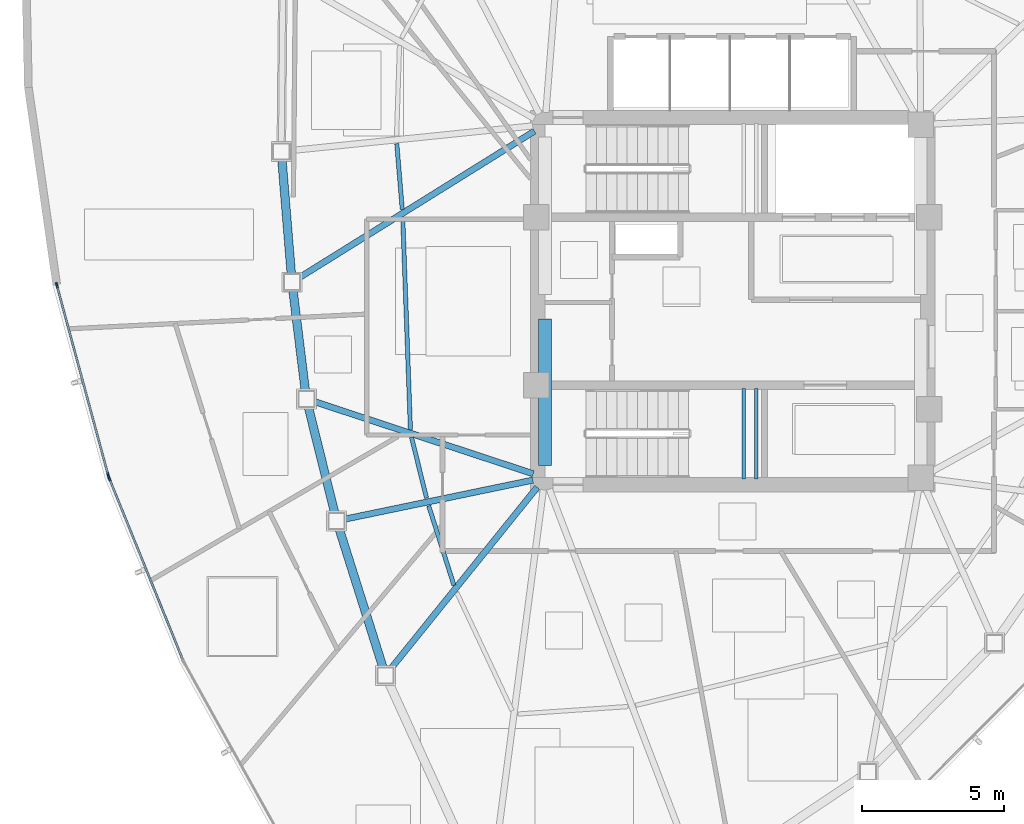
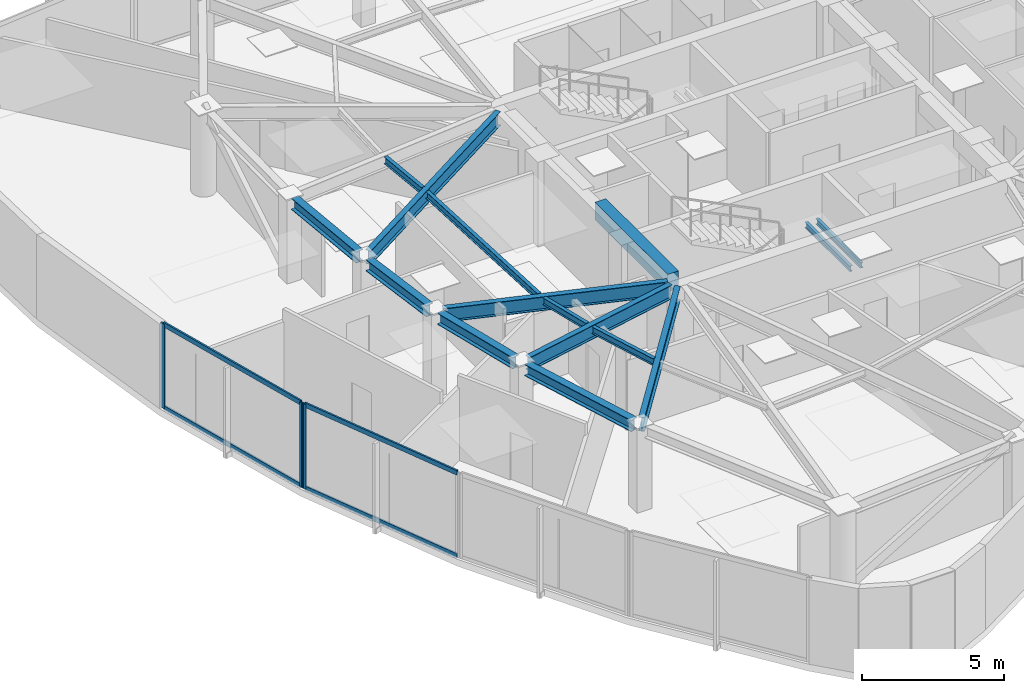
# One storey, part 3 of 13: 15 beams, 7 members, 2 elements without a shape of their own.
"""IFC4 building model written with IfcOpenShell, lengths in metres."""

import ifcopenshell
import ifcopenshell.guid

model = None  # the IFC model being written
_history = None  # IfcOwnerHistory: only IFC2X3 demands one
_inside = {}  # id of a spatial element -> (the spatial element, [elements in it])
_under = {}  # id of a project, library or spatial element -> (it, [spatial elements below it])
_declared = {}  # id of a project -> (the project, [libraries it declares])
_typed = {}  # id of a type object -> (the type object, [elements of that type])
_made_of = {}  # id of a material, layer set ... -> (it, [elements and type objects made of it])


def new_model(schema):
    """Start an empty IFC model of exactly this schema.

    Asked for "IFC4X3", IfcOpenShell would pick the latest addendum, in which some entities
    have other attributes; the version numbers below select the first issue.
    IFC2X3 requires an IfcOwnerHistory on every rooted entity: one is made here for all.
    """
    global model, _history
    if schema == "IFC4X3":
        model = ifcopenshell.file(schema_version=(4, 3, 0, 0))
    else:
        model = ifcopenshell.file(schema=schema)
    _inside.clear()
    _under.clear()
    _declared.clear()
    _typed.clear()
    _made_of.clear()
    _history = None
    if model.schema == "IFC2X3":
        org = make("IfcOrganization", Name="unknown")
        user = make(
            "IfcPersonAndOrganization",
            ThePerson=make("IfcPerson", FamilyName="unknown"),
            TheOrganization=org,
        )
        app = make(
            "IfcApplication",
            ApplicationDeveloper=org,
            Version="unknown",
            ApplicationFullName="unknown",
            ApplicationIdentifier="unknown",
        )
        _history = make(
            "IfcOwnerHistory",
            OwningUser=user,
            OwningApplication=app,
            ChangeAction="ADDED",
            CreationDate=0,
        )
    return model


def make(cls, **values):
    """One entity of the class cls with the attributes given. An attribute that is None is left unset."""
    return model.create_entity(
        cls, **{name: value for name, value in values.items() if value is not None}
    )


def rooted(cls, **values):
    """An entity with a GlobalId (a new one), such as an element, a storey or a relation."""
    return make(cls, GlobalId=ifcopenshell.guid.new(), OwnerHistory=_history, **values)


def si_unit(unit_type, name, prefix=None):
    """IfcSIUnit, for example si_unit("LENGTHUNIT", "METRE", prefix="MILLI")."""
    return make("IfcSIUnit", UnitType=unit_type, Prefix=prefix, Name=name)


def assignment(units):
    """IfcUnitAssignment: the units of a project."""
    return None if units is None else make("IfcUnitAssignment", Units=units)


def point(xyz):
    """IfcCartesianPoint."""
    return None if xyz is None else make("IfcCartesianPoint", Coordinates=xyz)


def direction(xyz):
    """IfcDirection."""
    return None if xyz is None else make("IfcDirection", DirectionRatios=xyz)


def frame(location, z_axis=None, x_axis=None):
    """IfcAxis2Placement3D, a coordinate frame: its origin and axes. An axis left out is left unset."""
    return make(
        "IfcAxis2Placement3D",
        Location=point(location),
        Axis=direction(z_axis),
        RefDirection=direction(x_axis),
    )


def frame_2d(location, x_axis=None):
    """IfcAxis2Placement2D, a coordinate frame in the plane: its origin and x axis."""
    return make(
        "IfcAxis2Placement2D", Location=point(location), RefDirection=direction(x_axis)
    )


def origin():
    """The frame at (0, 0, 0) with its axes left unset."""
    return frame((0.0, 0.0, 0.0))


def origin_2d():
    """The frame at (0, 0) in the plane with its x axis left unset."""
    return frame_2d((0.0, 0.0))


def place(relative_to, where):
    """IfcLocalPlacement: puts the frame where relative to a parent placement (None: the world)."""
    return make(
        "IfcLocalPlacement", PlacementRelTo=relative_to, RelativePlacement=where
    )


def context(
    kind, dimensions, precision=None, world=None, true_north=None, identifier=None
):
    """IfcGeometricRepresentationContext, for example the 3D "Model" context."""
    return make(
        "IfcGeometricRepresentationContext",
        ContextIdentifier=identifier,
        ContextType=kind,
        CoordinateSpaceDimension=dimensions,
        Precision=precision,
        WorldCoordinateSystem=world,
        TrueNorth=true_north,
    )


def subcontext(parent, identifier, kind, view, scale=None):
    """IfcGeometricRepresentationSubContext, for example "Body" below "Model"."""
    return make(
        "IfcGeometricRepresentationSubContext",
        ContextIdentifier=identifier,
        ContextType=kind,
        ParentContext=parent,
        TargetScale=scale,
        TargetView=view,
    )


def project(units=None, contexts=None):
    """IfcProject with its units and contexts."""
    return rooted(
        "IfcProject",
        Name="project",
        RepresentationContexts=contexts,
        UnitsInContext=assignment(units),
    )


def spatial(cls, under=None, at=None, **own):
    """A site, building, storey or space (cls), placed at a placement, below another one or the project."""
    s = rooted(cls, ObjectPlacement=at, **own)
    if under is not None:
        _under.setdefault(under.id(), (under, []))[1].append(s)
    return s


def profile(cls, at=None, kind="AREA", **sizes):
    """A parametric profile (cls). Its sizes go by their IFC names, for example OverallWidth=200.0."""
    return make(cls, ProfileType=kind, Position=at, **sizes)


def rectangle(**sizes):
    """IfcRectangleProfileDef."""
    return profile("IfcRectangleProfileDef", **sizes)


def hollow_rectangle(**sizes):
    """IfcRectangleHollowProfileDef."""
    return profile("IfcRectangleHollowProfileDef", **sizes)


def i_section(**sizes):
    """IfcIShapeProfileDef."""
    return profile("IfcIShapeProfileDef", **sizes)


def extrude(swept, where, along, depth):
    """IfcExtrudedAreaSolid: the profile swept, set in the frame where, extruded along a direction by depth."""
    return make(
        "IfcExtrudedAreaSolid",
        SweptArea=swept,
        Position=where,
        ExtrudedDirection=direction(along),
        Depth=depth,
    )


def shape(context_of_items, identifier, shape_type, items):
    """IfcShapeRepresentation: the items that make up one representation, for example the "Body"."""
    return make(
        "IfcShapeRepresentation",
        ContextOfItems=context_of_items,
        RepresentationIdentifier=identifier,
        RepresentationType=shape_type,
        Items=items,
    )


def source(mapping_origin, context_of_items, identifier, shape_type, items):
    """IfcRepresentationMap: a shape defined once, which mapped items show again and again."""
    return make(
        "IfcRepresentationMap",
        MappingOrigin=mapping_origin,
        MappedRepresentation=shape(context_of_items, identifier, shape_type, items),
    )


def transform(
    local_origin,
    x_axis=None,
    y_axis=None,
    z_axis=None,
    scale=None,
    scale2=None,
    scale3=None,
    uniform=True,
):
    """IfcCartesianTransformationOperator3D, or its non-uniform kind. x_axis, y_axis, z_axis: its Axis1, 2, 3."""
    if uniform:
        return make(
            "IfcCartesianTransformationOperator3D",
            Axis1=direction(x_axis),
            Axis2=direction(y_axis),
            LocalOrigin=point(local_origin),
            Scale=scale,
            Axis3=direction(z_axis),
        )
    return make(
        "IfcCartesianTransformationOperator3DnonUniform",
        Axis1=direction(x_axis),
        Axis2=direction(y_axis),
        LocalOrigin=point(local_origin),
        Scale=scale,
        Axis3=direction(z_axis),
        Scale2=scale2,
        Scale3=scale3,
    )


def mapped(mapping_source, mapping_target):
    """IfcMappedItem: shows the shape of a source again, moved by a transform."""
    return make(
        "IfcMappedItem", MappingSource=mapping_source, MappingTarget=mapping_target
    )


def material(Name=None, Category=None):
    """IfcMaterial."""
    return make("IfcMaterial", Name=Name, Category=Category)


def layer(
    of_material, thickness, ventilated=None, Name=None, Category=None, Priority=None
):
    """IfcMaterialLayer: one layer of a wall or slab, of a material (None: an air gap)."""
    return make(
        "IfcMaterialLayer",
        Material=of_material,
        LayerThickness=thickness,
        IsVentilated=ventilated,
        Name=Name,
        Category=Category,
        Priority=Priority,
    )


def layer_set(layers, Name=None):
    """IfcMaterialLayerSet."""
    return make("IfcMaterialLayerSet", MaterialLayers=layers, LayerSetName=Name)


def material_profile(
    of_material, cross_section, Name=None, Category=None, Priority=None
):
    """IfcMaterialProfile: a cross section and its material."""
    return make(
        "IfcMaterialProfile",
        Name=Name,
        Material=of_material,
        Profile=cross_section,
        Priority=Priority,
        Category=Category,
    )


def profile_set(profiles, Name=None, composite=None):
    """IfcMaterialProfileSet."""
    return make(
        "IfcMaterialProfileSet",
        Name=Name,
        MaterialProfiles=profiles,
        CompositeProfile=composite,
    )


def made_of(thing, what):
    """Note that an element or type object is made of a material, layer set ...; save() writes the relation."""
    if what is not None:
        _made_of.setdefault(what.id(), (what, []))[1].append(thing)
    return thing


def type_object(cls, material=None, **own):
    """A type object (cls), such as IfcWallType, which elements share."""
    return made_of(rooted(cls, **own), material)


def type_shapes(of_type, sources):
    """Give a type object the sources (RepresentationMaps) that its elements show as mapped items."""
    of_type.RepresentationMaps = sources


def element(
    cls,
    number,
    at=None,
    inside=None,
    cuts=None,
    type_object=None,
    material=None,
    context=None,
    identifier="Body",
    shape_type=None,
    held_by="IfcProductDefinitionShape",
    body=None,
    shapes=None,
    **own,
):
    """One element of the class cls, such as IfcWall. Its Tag is "e" and its number.

    at: its placement. inside: the storey or other place that contains it. cuts: it is an
    opening in that element (IfcRelVoidsElement). A single representation is given by context,
    identifier, shape_type and body (its items); several are given by shapes. held_by: the class
    of the entity that holds the representations. save() writes the other relations.
    """
    e = rooted(cls, Tag="e%d" % number, ObjectPlacement=at, **own)
    if body is not None:
        shapes = [shape(context, identifier, shape_type, body)]
    if shapes is not None:
        e.Representation = make(held_by, Representations=shapes)
    if inside is not None:
        _inside.setdefault(inside.id(), (inside, []))[1].append(e)
    if cuts is not None:
        rooted(
            "IfcRelVoidsElement", RelatingBuildingElement=cuts, RelatedOpeningElement=e
        )
    if type_object is not None:
        _typed.setdefault(type_object.id(), (type_object, []))[1].append(e)
    return made_of(e, material)


def aggregate(whole, parts):
    """IfcRelAggregates: a whole, such as a stair, and the parts it consists of."""
    return rooted("IfcRelAggregates", RelatingObject=whole, RelatedObjects=parts)


def save(model, path):
    """Write the relations noted so far, then the file.

    IfcRelAggregates (storeys below a building ...), IfcRelContainedInSpatialStructure (elements
    in a storey), IfcRelDefinesByType, IfcRelAssociatesMaterial and IfcRelDeclares: one each for
    every whole, place, type object, material and project.
    """
    for whole, parts in _under.values():
        aggregate(whole, parts)
    for where, things in _inside.values():
        rooted(
            "IfcRelContainedInSpatialStructure",
            RelatedElements=things,
            RelatingStructure=where,
        )
    for kind, things in _typed.values():
        rooted("IfcRelDefinesByType", RelatedObjects=things, RelatingType=kind)
    for what, things in _made_of.values():
        rooted("IfcRelAssociatesMaterial", RelatedObjects=things, RelatingMaterial=what)
    for by, libraries in _declared.values():
        rooted("IfcRelDeclares", RelatingContext=by, RelatedDefinitions=libraries)
    model.write(path)


model = new_model("IFC4")

# Units and contexts
model_context = context("Model", 3, precision=1e-05, world=origin(), true_north=direction((0.0, 1.0)))
body_context = subcontext(model_context, "Body", "Model", "MODEL_VIEW")
ifc_project = project(units=[si_unit("LENGTHUNIT", "METRE"), si_unit("AREAUNIT", "SQUARE_METRE"), si_unit("VOLUMEUNIT", "CUBIC_METRE"), si_unit("PLANEANGLEUNIT", "RADIAN"), si_unit("MASSUNIT", "GRAM", prefix="KILO")], contexts=[model_context])

# Site, building, storey
site_placement = place(None, origin())
site = spatial("IfcSite", under=ifc_project, at=site_placement, CompositionType="ELEMENT")
building_placement = place(site_placement, origin())
building = spatial("IfcBuilding", under=site, at=building_placement, Name="Tavelor Broadcast Tower", CompositionType="ELEMENT")
storey_placement = place(building_placement, frame((0.0, 0.0, 245.85009765625)))
storey = spatial("IfcBuildingStorey", under=building, at=storey_placement, Name="L58", CompositionType="ELEMENT", Elevation=245.85009765625)

# Beams
ifc_material_1 = material(Name="Concrete C40/50", Category="concrete")
ifc_material_profile_1 = material_profile(ifc_material_1, rectangle(XDim=0.449951171875, YDim=0.75, at=origin_2d()), Name="RC 450x750")
ifc_profile_set_1 = profile_set([ifc_material_profile_1], Name="Concrete C40/50")
beam_type_1 = type_object("IfcBeamType", Name="Basement Core Trim Beam 450x750", PredefinedType="BEAM", material=ifc_profile_set_1)
beam_1_placement = place(storey_placement, frame((43.39990234375, 39.23193359375, 3.27490234375), z_axis=(0.0, 1.0, 0.0), x_axis=(-1.0, 0.0, 0.0)))
element("IfcBeam", 1, at=beam_1_placement, inside=storey, type_object=beam_type_1, Name="L58 Core West-S Tie Girder", PredefinedType="BEAM", context=body_context, shape_type="SweptSolid", body=[
    extrude(rectangle(XDim=0.449951171875, YDim=0.75, at=origin_2d()), origin(), (0.0, 0.0, 1.0), 5.135986328125),
])
ifc_material_2 = material(Name="Steel S355", Category="steel")
ifc_material_profile_2 = material_profile(ifc_material_2, i_section(OverallWidth=0.14990234375, OverallDepth=0.300048828125, WebThickness=0.007080078125, FlangeThickness=0.0107421875, at=origin_2d()), Name="IPE 300")
ifc_profile_set_2 = profile_set([ifc_material_profile_2], Name="Steel S355")
beam_type_2 = type_object("IfcBeamType", Name="Composite Floor Joist T5 IPE 300", PredefinedType="JOIST", material=ifc_profile_set_2)
beam_2_placement = place(storey_placement, frame((38.19580078125, 50.529541015625, 3.5), z_axis=(0.082940684636, -0.996554485631, 0.0), x_axis=(0.996554485631, 0.082940684636, 0.0)))
element("IfcBeam", 2, at=beam_2_placement, inside=storey, type_object=beam_type_2, Name="L58 Secondary Composite Floor Joist 02", PredefinedType="JOIST", context=body_context, shape_type="SweptSolid", body=[
    extrude(i_section(OverallWidth=0.14990234375, OverallDepth=0.300048828125, WebThickness=0.007080078125, FlangeThickness=0.0107421875, at=origin_2d()), origin(), (0.0, 0.0, 1.0), 2.313720703125),
])
beam_3_placement = place(storey_placement, frame((38.404296875, 47.945556640625, 3.5), z_axis=(0.036223057878, -0.999343729694, 0.0), x_axis=(0.999343729694, 0.036223057878, 0.0)))
element("IfcBeam", 3, at=beam_3_placement, inside=storey, type_object=beam_type_2, Name="L58 Secondary Composite Floor Joist 03", PredefinedType="JOIST", context=body_context, shape_type="SweptSolid", body=[
    extrude(i_section(OverallWidth=0.14990234375, OverallDepth=0.300048828125, WebThickness=0.007080078125, FlangeThickness=0.0107421875, at=origin_2d()), origin(), (0.0, 0.0, 1.0), 7.454345703125),
])
beam_4_placement = place(storey_placement, frame((38.712646484375, 40.221435546875, 3.5), z_axis=(0.239592093356, -0.970873642037, 0.0), x_axis=(0.970873642037, 0.239592093356, 0.0)))
element("IfcBeam", 4, at=beam_4_placement, inside=storey, type_object=beam_type_2, Name="L58 Secondary Composite Floor Joist 04", PredefinedType="JOIST", context=body_context, shape_type="SweptSolid", body=[
    extrude(i_section(OverallWidth=0.14990234375, OverallDepth=0.300048828125, WebThickness=0.007080078125, FlangeThickness=0.0107421875, at=origin_2d()), origin(), (0.0, 0.0, 1.0), 2.2060546875),
])
beam_5_placement = place(storey_placement, frame((39.316650390625, 37.811279296875, 3.5), z_axis=(0.302412009178, -0.953177306017, 0.0), x_axis=(0.953177306017, 0.302412009178, 0.0)))
element("IfcBeam", 5, at=beam_5_placement, inside=storey, type_object=beam_type_2, Name="L58 Secondary Composite Floor Joist 05", PredefinedType="JOIST", context=body_context, shape_type="SweptSolid", body=[
    extrude(i_section(OverallWidth=0.14990234375, OverallDepth=0.300048828125, WebThickness=0.007080078125, FlangeThickness=0.0107421875, at=origin_2d()), origin(), (0.0, 0.0, 1.0), 2.92822265625),
])
ifc_material_profile_3 = material_profile(ifc_material_2, i_section(OverallWidth=0.300048828125, OverallDepth=0.489990234375, WebThickness=0.011962890625, FlangeThickness=0.02294921875, at=origin_2d()), Name="HEA 500")
ifc_profile_set_3 = profile_set([ifc_material_profile_3], Name="Steel S355")
beam_type_3 = type_object("IfcBeamType", Name="Perimeter Spandrel Beam T5 HEA 500", PredefinedType="SPANDREL", material=ifc_profile_set_3)
beam_6_placement = place(storey_placement, frame((34.16064453125, 49.968994140625, 3.40478515625), z_axis=(0.081762275835, -0.996651860105, 0.0), x_axis=(0.996651860105, 0.081762275835, 0.0)))
element("IfcBeam", 6, at=beam_6_placement, inside=storey, type_object=beam_type_3, Name="L58 Framed-Tube Ring Spandrel 02", PredefinedType="SPANDREL", context=body_context, shape_type="SweptSolid", body=[
    extrude(i_section(OverallWidth=0.300048828125, OverallDepth=0.489990234375, WebThickness=0.011962890625, FlangeThickness=0.02294921875, at=origin_2d()), origin(), (0.0, 0.0, 1.0), 4.031005859375),
])
beam_7_placement = place(storey_placement, frame((34.548828125, 45.378662109375, 3.40478515625), z_axis=(0.122285270418, -0.99249499376, 0.0), x_axis=(0.99249499376, 0.122285270418, 0.0)))
element("IfcBeam", 7, at=beam_7_placement, inside=storey, type_object=beam_type_3, Name="L58 Framed-Tube Ring Spandrel 03", PredefinedType="SPANDREL", context=body_context, shape_type="SweptSolid", body=[
    extrude(i_section(OverallWidth=0.300048828125, OverallDepth=0.489990234375, WebThickness=0.011962890625, FlangeThickness=0.02294921875, at=origin_2d()), origin(), (0.0, 0.0, 1.0), 3.5556640625),
])
beam_8_placement = place(storey_placement, frame((35.08837890625, 41.284423828125, 3.40478515625), z_axis=(0.24127750007, -0.970456164883, 0.0), x_axis=(0.970456164883, 0.24127750007, 0.0)))
element("IfcBeam", 8, at=beam_8_placement, inside=storey, type_object=beam_type_3, Name="L58 Framed-Tube Ring Spandrel 04", PredefinedType="SPANDREL", context=body_context, shape_type="SweptSolid", body=[
    extrude(i_section(OverallWidth=0.300048828125, OverallDepth=0.489990234375, WebThickness=0.011962890625, FlangeThickness=0.02294921875, at=origin_2d()), origin(), (0.0, 0.0, 1.0), 3.8359375),
])
beam_9_placement = place(storey_placement, frame((36.170166015625, 37.0078125, 3.40478515625), z_axis=(0.300957826527, -0.95363745032, 0.0), x_axis=(0.95363745032, 0.300957826527, 0.0)))
element("IfcBeam", 9, at=beam_9_placement, inside=storey, type_object=beam_type_3, Name="L58 Framed-Tube Ring Spandrel 05", PredefinedType="SPANDREL", context=body_context, shape_type="SweptSolid", body=[
    extrude(i_section(OverallWidth=0.300048828125, OverallDepth=0.489990234375, WebThickness=0.011962890625, FlangeThickness=0.02294921875, at=origin_2d()), origin(), (0.0, 0.0, 1.0), 5.1171875),
])
ifc_material_profile_4 = material_profile(ifc_material_2, i_section(OverallWidth=0.219970703125, OverallDepth=0.60009765625, WebThickness=0.011962890625, FlangeThickness=0.01904296875, at=origin_2d()), Name="IPE 600")
ifc_profile_set_4 = profile_set([ifc_material_profile_4], Name="Steel S355")
beam_type_4 = type_object("IfcBeamType", Name="Radial Floor Girder T5 IPE 600", PredefinedType="BEAM", material=ifc_profile_set_4)
beam_10_placement = place(storey_placement, frame((43.033203125, 50.9716796875, 3.349853515625), z_axis=(-0.848782406462, -0.528742306309, 0.0), x_axis=(0.528742306309, -0.848782406462, 0.0)))
element("IfcBeam", 10, at=beam_10_placement, inside=storey, type_object=beam_type_4, Name="L58 Radial Primary Floor Girder 03", PredefinedType="BEAM", context=body_context, shape_type="SweptSolid", body=[
    extrude(i_section(OverallWidth=0.219970703125, OverallDepth=0.60009765625, WebThickness=0.011962890625, FlangeThickness=0.01904296875, at=origin_2d()), origin(), (0.0, 0.0, 1.0), 9.7490234375),
])
beam_11_placement = place(storey_placement, frame((42.98974609375, 38.935302734375, 3.349853515625), z_axis=(-0.949693529109, 0.313180779692, 0.0), x_axis=(-0.313180779692, -0.949693529109, 0.0)))
element("IfcBeam", 11, at=beam_11_placement, inside=storey, type_object=beam_type_4, Name="L58 Radial Primary Floor Girder 04", PredefinedType="BEAM", context=body_context, shape_type="SweptSolid", body=[
    extrude(i_section(OverallWidth=0.219970703125, OverallDepth=0.60009765625, WebThickness=0.011962890625, FlangeThickness=0.01904296875, at=origin_2d()), origin(), (0.0, 0.0, 1.0), 8.10498046875),
])
beam_12_placement = place(storey_placement, frame((42.97705078125, 38.71240234375, 3.349853515625), z_axis=(-0.979152429868, -0.203126854658, 0.0), x_axis=(0.203126854658, -0.979152429868, 0.0)))
element("IfcBeam", 12, at=beam_12_placement, inside=storey, type_object=beam_type_4, Name="L58 Radial Primary Floor Girder 05", PredefinedType="BEAM", context=body_context, shape_type="SweptSolid", body=[
    extrude(i_section(OverallWidth=0.219970703125, OverallDepth=0.60009765625, WebThickness=0.011962890625, FlangeThickness=0.01904296875, at=origin_2d()), origin(), (0.0, 0.0, 1.0), 6.75244140625),
])
beam_13_placement = place(storey_placement, frame((43.12890625, 38.463623046875, 3.349853515625), z_axis=(-0.627821660469, -0.778357220463, 0.0), x_axis=(0.778357220463, -0.627821660469, 0.0)))
element("IfcBeam", 13, at=beam_13_placement, inside=storey, type_object=beam_type_4, Name="L58 Radial Primary Floor Girder 06", PredefinedType="BEAM", context=body_context, shape_type="SweptSolid", body=[
    extrude(i_section(OverallWidth=0.219970703125, OverallDepth=0.60009765625, WebThickness=0.011962890625, FlangeThickness=0.01904296875, at=origin_2d()), origin(), (0.0, 0.0, 1.0), 8.204833984375),
])
ifc_material_profile_5 = material_profile(ifc_material_2, i_section(OverallWidth=0.1201171875, OverallDepth=0.239990234375, WebThickness=0.006103515625, FlangeThickness=0.009765625, at=origin_2d()), Name="IPE 240")
ifc_profile_set_5 = profile_set([ifc_material_profile_5], Name="Steel S355")
beam_type_5 = type_object("IfcBeamType", Name="Stairwell Landing Support Trimmer Beam IPE240", PredefinedType="BEAM", material=ifc_profile_set_5)
for number, where, z_axis, x_axis, name in (
    (14, (50.385009765625, 38.760009765625, 1.659912109375), (0.0, 1.0, 0.0), (-1.0, 0.0, 0.0), "L58 Stair Landing Support Beam 371"),
    (15, (50.824951171875, 38.760009765625, 1.659912109375), (0.0, 1.0, 0.0), (-1.0, 0.0, 0.0), "L58 Stair Landing Support Beam 372"),
):
    element("IfcBeam", number, at=place(storey_placement, frame(where, z_axis=z_axis, x_axis=x_axis)), inside=storey, type_object=beam_type_5, Name=name, PredefinedType="BEAM", context=body_context, shape_type="SweptSolid", body=[
        extrude(i_section(OverallWidth=0.1201171875, OverallDepth=0.239990234375, WebThickness=0.006103515625, FlangeThickness=0.009765625, at=origin_2d()), origin(), (0.0, 0.0, 1.0), 3.179931640625),
    ])

# Curtain wall, members
ifc_material_3 = material(Name="Architectural Anodized Aluminium", Category="aluminium")
ifc_layer = layer(ifc_material_3, 0.199951171875)
ifc_layer_set = layer_set([ifc_layer], Name="Architectural Anodized Aluminium")
curtain_wall_type = type_object("IfcCurtainWallType", Name="Tower High-Zone Triple-Glazed Curtain Wall CW04", PredefinedType="NOTDEFINED", material=ifc_layer_set)
curtain_wall_1_placement = place(storey_placement, origin())
curtain_wall_1 = element("IfcCurtainWall", 16, at=curtain_wall_1_placement, inside=storey, type_object=curtain_wall_type, Name="L58 Curtain Wall CW04 Run 625", PredefinedType="NOTDEFINED")
ifc_material_profile_6 = material_profile(ifc_material_3, hollow_rectangle(XDim=0.070068359375, YDim=0.199951171875, WallThickness=0.02197265625, at=origin_2d()), Name="RHS 70x200x22")
ifc_profile_set_6 = profile_set([ifc_material_profile_6], Name="Architectural Anodized Aluminium")
member_type_1 = type_object("IfcMemberType", Name="CW04 Extruded Aluminium Mullion 70x200", PredefinedType="MULLION", material=ifc_profile_set_6)
shared_shape_1 = source(origin(), body_context, "Body", "SweptSolid", [
    extrude(hollow_rectangle(XDim=0.070068359375, YDim=0.199951171875, WallThickness=0.02197265625, at=origin_2d()), origin(), (0.0, 0.0, 1.0), 3.64990234375),
])
type_shapes(member_type_1, [shared_shape_1])
member_1_placement = place(storey_placement, frame((26.25390625, 45.555419921875, 0.0), z_axis=(0.0, 0.0, 1.0), x_axis=(0.965359299826, 0.260924169521, 0.0)))
member_1 = element("IfcMember", 17, at=member_1_placement, type_object=member_type_1, Name="CW04 mullion 1", PredefinedType="MULLION", context=body_context, shape_type="MappedRepresentation", body=[
    mapped(shared_shape_1, transform((0.0, 0.0, 0.0), scale=1.0)),
])
member_2_placement = place(storey_placement, frame((28.05810546875, 38.8798828125, 0.0), z_axis=(0.0, 0.0, 1.0), x_axis=(0.965359299826, 0.260924169521, 0.0)))
member_2 = element("IfcMember", 18, at=member_2_placement, type_object=member_type_1, Name="CW04 mullion 2", PredefinedType="MULLION", context=body_context, shape_type="MappedRepresentation", body=[
    mapped(shared_shape_1, transform((0.0, 0.0, 0.0), scale=1.0)),
])

# Curtain wall, member
curtain_wall_2_placement = place(storey_placement, origin())
curtain_wall_2 = element("IfcCurtainWall", 19, at=curtain_wall_2_placement, inside=storey, type_object=curtain_wall_type, Name="L58 Curtain Wall CW04 Run 626", PredefinedType="NOTDEFINED")
member_3_placement = place(storey_placement, frame((28.090087890625, 38.78515625, 0.0), z_axis=(0.0, 0.0, 1.0), x_axis=(0.926692007351, 0.375821664505, 0.0)))
member_3 = element("IfcMember", 20, at=member_3_placement, type_object=member_type_1, Name="CW04 mullion 1", PredefinedType="MULLION", context=body_context, shape_type="MappedRepresentation", body=[
    mapped(shared_shape_1, transform((0.0, 0.0, 0.0), scale=1.0)),
])

# Member
ifc_material_profile_7 = material_profile(ifc_material_3, hollow_rectangle(XDim=0.070068359375, YDim=0.199951171875, WallThickness=0.02197265625, at=origin_2d()), Name="RHS 70x200x22")
ifc_profile_set_7 = profile_set([ifc_material_profile_7], Name="Architectural Anodized Aluminium")
member_type_2 = type_object("IfcMemberType", Name="CW04 Extruded Aluminium Transom 70x200", PredefinedType="USERDEFINED", material=ifc_profile_set_7)
shared_shape_2 = source(origin(), body_context, "Body", "SweptSolid", [
    extrude(hollow_rectangle(XDim=0.070068359375, YDim=0.199951171875, WallThickness=0.02197265625, at=origin_2d()), origin(), (0.0, 0.0, 1.0), 6.84521484375),
])
member_4_placement = place(storey_placement, frame((26.262939453125, 45.521728515625, 0.034912109375), z_axis=(0.260928787999, -0.965358051499, 0.0), x_axis=(0.965358051499, 0.260928787999, 0.0)))
member_4 = element("IfcMember", 21, at=member_4_placement, type_object=member_type_2, Name="CW04 transom 1.1", ObjectType="TRANSOM", PredefinedType="USERDEFINED", context=body_context, shape_type="MappedRepresentation", body=[
    mapped(shared_shape_2, transform((0.0, 0.0, 0.0), scale=1.0)),
])

member_5_placement = place(storey_placement, frame((26.262939453125, 45.521728515625, 3.614990234375), z_axis=(0.260928787999, -0.965358051499, 0.0), x_axis=(0.965358051499, 0.260928787999, 0.0)))
member_5 = element("IfcMember", 22, at=member_5_placement, type_object=member_type_2, Name="CW04 transom 1.2", ObjectType="TRANSOM", PredefinedType="USERDEFINED", context=body_context, shape_type="MappedRepresentation", body=[
    mapped(shared_shape_2, transform((0.0, 0.0, 0.0), scale=1.0)),
])

aggregate(curtain_wall_1, [member_1, member_2, member_4, member_5])

shared_shape_3 = source(origin(), body_context, "Body", "SweptSolid", [
    extrude(hollow_rectangle(XDim=0.070068359375, YDim=0.199951171875, WallThickness=0.02197265625, at=origin_2d()), origin(), (0.0, 0.0, 1.0), 6.830078125),
])
type_shapes(member_type_2, [shared_shape_2, shared_shape_3])
member_6_placement = place(storey_placement, frame((28.103271484375, 38.7529296875, 0.034912109375), z_axis=(0.375823755102, -0.926691159503, 0.0), x_axis=(0.926691159503, 0.375823755102, 0.0)))
member_6 = element("IfcMember", 23, at=member_6_placement, type_object=member_type_2, Name="CW04 transom 1.1", ObjectType="TRANSOM", PredefinedType="USERDEFINED", context=body_context, shape_type="MappedRepresentation", body=[
    mapped(shared_shape_3, transform((0.0, 0.0, 0.0), scale=1.0)),
])

member_7_placement = place(storey_placement, frame((28.103271484375, 38.7529296875, 3.614990234375), z_axis=(0.375823755102, -0.926691159503, 0.0), x_axis=(0.926691159503, 0.375823755102, 0.0)))
member_7 = element("IfcMember", 24, at=member_7_placement, type_object=member_type_2, Name="CW04 transom 1.2", ObjectType="TRANSOM", PredefinedType="USERDEFINED", context=body_context, shape_type="MappedRepresentation", body=[
    mapped(shared_shape_3, transform((0.0, 0.0, 0.0), scale=1.0)),
])

aggregate(curtain_wall_2, [member_3, member_6, member_7])

save(model, "model.ifc")
